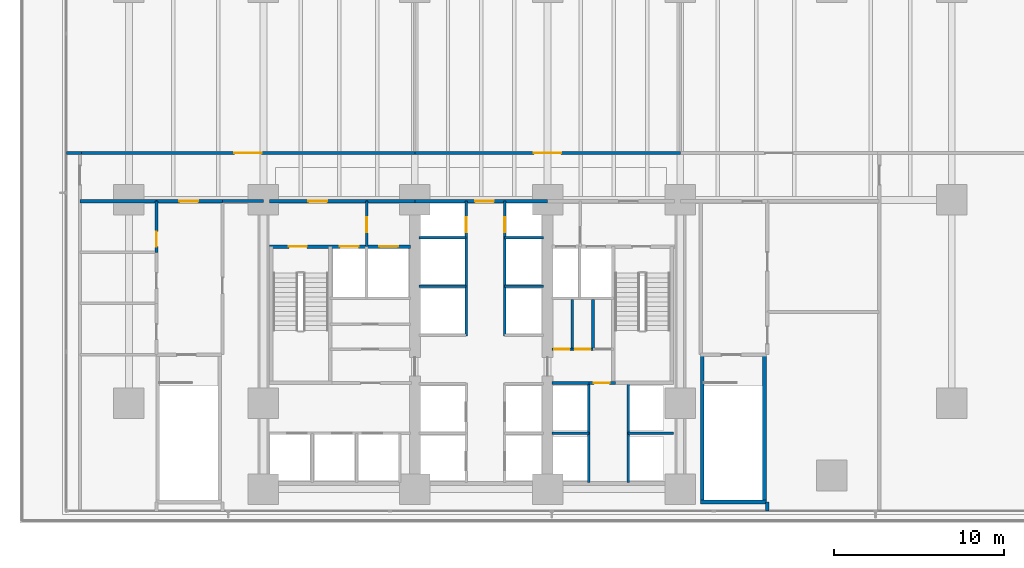
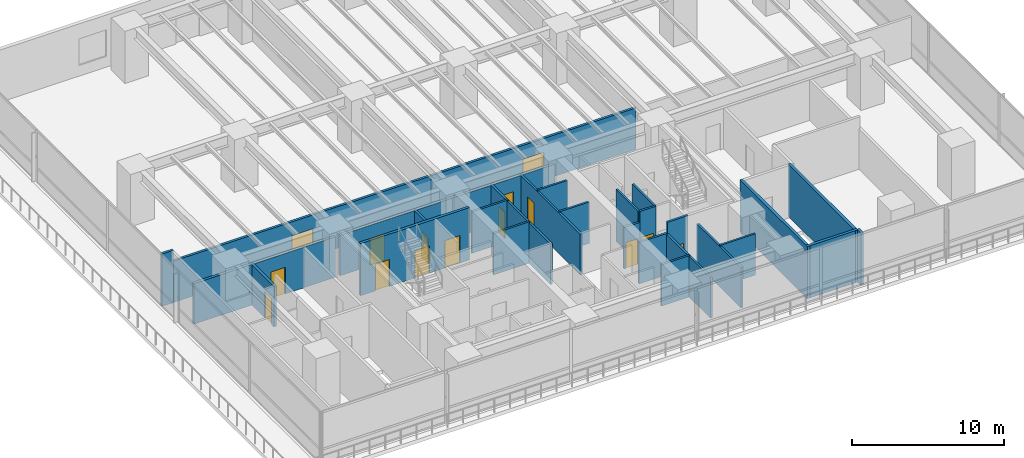
# One storey, part 8 of 21: 32 walls, 15 doors, 15 openings.
"""IFC4 building model written with IfcOpenShell, lengths in metres."""

from ifc_helpers import new_model, si_unit, direction, frame, frame_2d, origin, place, context, subcontext, project, spatial, rectangle, extrude, material, layer, layer_set, type_object, element, fill, save


model = new_model("IFC4")

# Units and contexts
model_context = context("Model", 3, precision=1e-05, world=origin(), true_north=direction((0.0, 1.0)))
body_context = subcontext(model_context, "Body", "Model", "MODEL_VIEW")
ifc_project = project(units=[si_unit("LENGTHUNIT", "METRE"), si_unit("AREAUNIT", "SQUARE_METRE"), si_unit("VOLUMEUNIT", "CUBIC_METRE"), si_unit("PLANEANGLEUNIT", "RADIAN"), si_unit("MASSUNIT", "GRAM", prefix="KILO")], contexts=[model_context])

# Site, building, storey
site_placement = place(None, origin())
site = spatial("IfcSite", under=ifc_project, at=site_placement, CompositionType="ELEMENT")
building_placement = place(site_placement, origin())
building = spatial("IfcBuilding", under=site, at=building_placement, Name="Qalmaran Belvedere Hotel", CompositionType="ELEMENT")
storey_placement = place(building_placement, frame((0.0, 0.0, 23.800048828125)))
storey = spatial("IfcBuildingStorey", under=building, at=storey_placement, Name="L05", CompositionType="ELEMENT", Elevation=23.800048828125)

# Walls
ifc_material_1 = material(Name="Gypsum Stud Partition")
ifc_layer_1 = layer(ifc_material_1, 0.14990234375, Name="Gypsum Stud Partition")
ifc_layer_set_1 = layer_set([ifc_layer_1], Name="Gypsum Stud Partition")
wall_type_1 = type_object("IfcWallType", Name="WL-INT-150-EI120", PredefinedType="PARTITIONING", material=ifc_layer_set_1)
wall_1_placement = place(storey_placement, frame((37.25, 6.780029296875, 0.0), z_axis=(0.0, 0.0, 1.0), x_axis=(1.0, 0.0, 0.0)))
element("IfcWall", 1, at=wall_1_placement, inside=storey, type_object=wall_type_1, Name="L05 Partition WL-PHMW-L05", PredefinedType="PARTITIONING", context=body_context, shape_type="SweptSolid", body=[
    extrude(rectangle(XDim=2.169921875, YDim=0.14990234375, at=frame_2d((1.0849609375, 0.0))), origin(), (0.0, 0.0, 1.0), 3.329833984375),
])
wall_2_placement = place(storey_placement, frame((41.739990234375, 6.780029296875, 0.0), z_axis=(0.0, 0.0, 1.0), x_axis=(1.0, 0.0, 0.0)))
element("IfcWall", 2, at=wall_2_placement, inside=storey, type_object=wall_type_1, Name="L05 Partition WL-PHME-L05", PredefinedType="PARTITIONING", context=body_context, shape_type="SweptSolid", body=[
    extrude(rectangle(XDim=2.659912109375, YDim=0.14990234375, at=frame_2d((1.330078125, 0.0))), origin(), (0.0, 0.0, 1.0), 3.329833984375),
])
wall_3_placement = place(storey_placement, frame((29.449951171875, 15.419921875, 0.0), z_axis=(0.0, 0.0, 1.0), x_axis=(1.0, 0.0, 0.0)))
element("IfcWall", 3, at=wall_3_placement, inside=storey, type_object=wall_type_1, Name="L05 Partition WL-PMW-L05-154", PredefinedType="PARTITIONING", context=body_context, shape_type="SweptSolid", body=[
    extrude(rectangle(XDim=2.77001953125, YDim=0.14990234375, at=frame_2d((1.385009765625, 0.0))), origin(), (0.0, 0.0, 1.0), 3.329833984375),
])
wall_4_placement = place(storey_placement, frame((34.47998046875, 15.419921875, 0.0), z_axis=(0.0, 0.0, 1.0), x_axis=(1.0, 0.0, 0.0)))
element("IfcWall", 4, at=wall_4_placement, inside=storey, type_object=wall_type_1, Name="L05 Partition WL-PME-L05-154", PredefinedType="PARTITIONING", context=body_context, shape_type="SweptSolid", body=[
    extrude(rectangle(XDim=2.27001953125, YDim=0.14990234375, at=frame_2d((1.135009765625, 0.0))), origin(), (0.0, 0.0, 1.0), 3.329833984375),
])
wall_5_placement = place(storey_placement, frame((29.449951171875, 18.280029296875, 0.0), z_axis=(0.0, 0.0, 1.0), x_axis=(1.0, 0.0, 0.0)))
element("IfcWall", 5, at=wall_5_placement, inside=storey, type_object=wall_type_1, Name="L05 Partition WL-PMW-L05-182", PredefinedType="PARTITIONING", context=body_context, shape_type="SweptSolid", body=[
    extrude(rectangle(XDim=2.77001953125, YDim=0.14990234375, at=frame_2d((1.385009765625, 0.0))), origin(), (0.0, 0.0, 1.0), 3.329833984375),
])
wall_6_placement = place(storey_placement, frame((34.47998046875, 18.280029296875, 0.0), z_axis=(0.0, 0.0, 1.0), x_axis=(1.0, 0.0, 0.0)))
element("IfcWall", 6, at=wall_6_placement, inside=storey, type_object=wall_type_1, Name="L05 Partition WL-PME-L05-182", PredefinedType="PARTITIONING", context=body_context, shape_type="SweptSolid", body=[
    extrude(rectangle(XDim=2.27001953125, YDim=0.14990234375, at=frame_2d((1.135009765625, 0.0))), origin(), (0.0, 0.0, 1.0), 3.329833984375),
])
ifc_layer_2 = layer(ifc_material_1, 0.14990234375, Name="Gypsum Stud Partition")
ifc_layer_set_2 = layer_set([ifc_layer_2], Name="Gypsum Stud Partition")
wall_type_2 = type_object("IfcWallType", Name="WL-INT-150-EI60", PredefinedType="PARTITIONING", material=ifc_layer_set_2)
for number, where, z_axis, x_axis, name in (
    (7, (38.44140625, 11.719970703125, 0.0), (0.0, 0.0, 1.0), (0.0, 1.0, 0.0), "L05 Partition WL-L05-KEV1"),
    (8, (39.668701171875, 11.719970703125, 0.0), (0.0, 0.0, 1.0), (0.0, 1.0, 0.0), "L05 Partition WL-L05-KEV2"),
):
    element("IfcWall", number, at=place(storey_placement, frame(where, z_axis=z_axis, x_axis=x_axis)), inside=storey, type_object=wall_type_2, Name=name, PredefinedType="PARTITIONING", context=body_context, shape_type="SweptSolid", body=[
        extrude(rectangle(XDim=2.929931640625, YDim=0.14990234375, at=frame_2d((1.46484375, 0.0))), origin(), (0.0, 0.0, 1.0), 4.199951171875),
    ])

# Wall, opening, door
ifc_layer_3 = layer(ifc_material_1, 0.159912109375, Name="Gypsum Stud Partition")
ifc_layer_set_3 = layer_set([ifc_layer_3], Name="Gypsum Stud Partition")
wall_type_3 = type_object("IfcWallType", Name="WL-INT-160-EI120", PredefinedType="PARTITIONING", material=ifc_layer_set_3)
wall_7_placement = place(storey_placement, frame((26.3798828125, 17.760009765625, 0.0), z_axis=(0.0, 0.0, 1.0), x_axis=(0.0, 1.0, 0.0)))
wall_7 = element("IfcWall", 9, at=wall_7_placement, inside=storey, type_object=wall_type_3, Name="L05 Partition WL-FFSV1-L05", PredefinedType="PARTITIONING", context=body_context, shape_type="SweptSolid", body=[
    extrude(rectangle(XDim=2.659912109375, YDim=0.159912109375, at=frame_2d((1.330078125, 0.0))), origin(), (0.0, 0.0, 1.0), 3.263916015625),
])
opening_1_placement = place(wall_7_placement, frame((0.85009765625, 0.0, 0.0)))
opening_1 = element("IfcOpeningElement", 10, at=opening_1_placement, cuts=wall_7, Name="Opening FD60B", PredefinedType="OPENING", context=body_context, shape_type="SweptSolid", body=[
    extrude(rectangle(XDim=0.8798828125, YDim=2.080078125, at=frame_2d((0.43994140625, 1.0400390625))), frame((0.0, 0.08984375, 0.0), z_axis=(0.0, -1.0, 0.0), x_axis=(1.0, 0.0, 0.0)), (0.0, 0.0, 1.0), 0.179931640625),
])
ifc_material_2 = material(Name="Steel S355JR", Category="steel")
door_type_1 = type_object("IfcDoorType", Name="DR-FD60B-880X2080", OperationType="NOTDEFINED", PredefinedType="DOOR", material=ifc_material_2)
door_1_placement = place(opening_1_placement, origin())
door_1 = element("IfcDoor", 11, at=door_1_placement, inside=storey, type_object=door_type_1, Name="L05 Service Lobby West Door", OperationType="SINGLE_SWING_LEFT", OverallHeight=2.080078125, OverallWidth=0.8798828125, PredefinedType="DOOR", context=body_context, shape_type="SweptSolid", body=[
    extrude(rectangle(XDim=0.8798828125, YDim=2.080078125, at=frame_2d((0.43994140625, 1.0400390625))), frame((0.0, 0.02490234375, 0.0), z_axis=(0.0, -1.0, 0.0), x_axis=(1.0, 0.0, 0.0)), (0.0, 0.0, 1.0), 0.050048828125),
])
fill(opening_1, door_1)

# Walls
for number, where, z_axis, x_axis, name in (
    (12, (39.419921875, 3.89990234375, 0.0), (0.0, 0.0, 1.0), (0.0, 1.0, 0.0), "L05 Partition WL-PHW-L05"),
    (13, (41.739990234375, 3.89990234375, 0.0), (0.0, 0.0, 1.0), (0.0, 1.0, 0.0), "L05 Partition WL-PHE-L05"),
):
    element("IfcWall", number, at=place(storey_placement, frame(where, z_axis=z_axis, x_axis=x_axis)), inside=storey, type_object=wall_type_3, Name=name, PredefinedType="PARTITIONING", context=body_context, shape_type="SweptSolid", body=[
        extrude(rectangle(XDim=5.840087890625, YDim=0.159912109375, at=frame_2d((2.919921875, 0.0))), origin(), (0.0, 0.0, 1.0), 3.263916015625),
    ])
wall_8_placement = place(storey_placement, frame((37.25, 9.739990234375, 0.0), z_axis=(0.0, 0.0, 1.0), x_axis=(1.0, 0.0, 0.0)))
element("IfcWall", 14, at=wall_8_placement, inside=storey, type_object=wall_type_3, Name="L05 Partition WL-PHNW-L05", PredefinedType="PARTITIONING", context=body_context, shape_type="SweptSolid", body=[
    extrude(rectangle(XDim=2.169921875, YDim=0.159912109375, at=frame_2d((1.0849609375, 0.0))), origin(), (0.0, 0.0, 1.0), 3.329833984375),
])

# Wall, opening, door
wall_9_placement = place(storey_placement, frame((39.419921875, 9.739990234375, 0.0), z_axis=(0.0, 0.0, 1.0), x_axis=(1.0, 0.0, 0.0)))
wall_9 = element("IfcWall", 15, at=wall_9_placement, inside=storey, type_object=wall_type_3, Name="L05 Partition WL-PHNL-L05", PredefinedType="PARTITIONING", context=body_context, shape_type="SweptSolid", body=[
    extrude(rectangle(XDim=1.56005859375, YDim=0.159912109375, at=frame_2d((0.780029296875, 0.0))), origin(), (0.0, 0.0, 1.0), 4.199951171875),
])
opening_2_placement = place(wall_9_placement, frame((0.300048828125, 0.0, 0.0)))
opening_2 = element("IfcOpeningElement", 16, at=opening_2_placement, cuts=wall_9, Name="Opening FD60S1", PredefinedType="OPENING", context=body_context, shape_type="SweptSolid", body=[
    extrude(rectangle(XDim=0.919921875, YDim=2.080078125, at=frame_2d((0.4599609375, 1.0400390625))), frame((0.0, 0.08984375, 0.0), z_axis=(0.0, -1.0, 0.0), x_axis=(1.0, 0.0, 0.0)), (0.0, 0.0, 1.0), 0.179931640625),
])
ifc_material_3 = material(Name="Engineered Oak Veneer")
door_type_2 = type_object("IfcDoorType", Name="DR-FD60S-920X2080", OperationType="NOTDEFINED", PredefinedType="DOOR", material=ifc_material_3)
door_2_placement = place(opening_2_placement, origin())
door_2 = element("IfcDoor", 17, at=door_2_placement, inside=storey, type_object=door_type_2, Name="L05 High-Rise Lift Lobby Passage Door", OperationType="SINGLE_SWING_RIGHT", OverallHeight=2.080078125, OverallWidth=0.919921875, PredefinedType="DOOR", context=body_context, shape_type="SweptSolid", body=[
    extrude(rectangle(XDim=0.919921875, YDim=2.080078125, at=frame_2d((0.4599609375, 1.0400390625))), frame((0.0, 0.02490234375, 0.0), z_axis=(0.0, -1.0, 0.0), x_axis=(1.0, 0.0, 0.0)), (0.0, 0.0, 1.0), 0.050048828125),
])
fill(opening_2, door_2)

wall_10_placement = place(storey_placement, frame((32.219970703125, 12.5, 0.0), z_axis=(0.0, 0.0, 1.0), x_axis=(0.0, 1.0, 0.0)))
wall_10 = element("IfcWall", 18, at=wall_10_placement, inside=storey, type_object=wall_type_3, Name="L05 Partition WL-CLBWN-L05", PredefinedType="PARTITIONING", context=body_context, shape_type="SweptSolid", body=[
    extrude(rectangle(XDim=7.919921875, YDim=0.159912109375, at=frame_2d((3.9599609375, 0.0))), origin(), (0.0, 0.0, 1.0), 3.263916015625),
])
opening_3_placement = place(wall_10_placement, frame((6.10009765625, 0.0, 0.0)))
opening_3 = element("IfcOpeningElement", 19, at=opening_3_placement, cuts=wall_10, Name="Opening FD60B", PredefinedType="OPENING", context=body_context, shape_type="SweptSolid", body=[
    extrude(rectangle(XDim=0.8798828125, YDim=2.080078125, at=frame_2d((0.43994140625, 1.0400390625))), frame((0.0, 0.08984375, 0.0), z_axis=(0.0, -1.0, 0.0), x_axis=(1.0, 0.0, 0.0)), (0.0, 0.0, 1.0), 0.179931640625),
])
door_3_placement = place(opening_3_placement, origin())
door_3 = element("IfcDoor", 20, at=door_3_placement, inside=storey, type_object=door_type_1, Name="L05 West Riser Access Door", OperationType="SINGLE_SWING_LEFT", OverallHeight=2.080078125, OverallWidth=0.8798828125, PredefinedType="DOOR", context=body_context, shape_type="SweptSolid", body=[
    extrude(rectangle(XDim=0.8798828125, YDim=2.080078125, at=frame_2d((0.43994140625, 1.0400390625))), frame((0.0, 0.02490234375, 0.0), z_axis=(0.0, -1.0, 0.0), x_axis=(1.0, 0.0, 0.0)), (0.0, 0.0, 1.0), 0.050048828125),
])
fill(opening_3, door_3)

wall_11_placement = place(storey_placement, frame((34.47998046875, 12.5, 0.0), z_axis=(0.0, 0.0, 1.0), x_axis=(0.0, 1.0, 0.0)))
wall_11 = element("IfcWall", 21, at=wall_11_placement, inside=storey, type_object=wall_type_3, Name="L05 Partition WL-CLBEN-L05", PredefinedType="PARTITIONING", context=body_context, shape_type="SweptSolid", body=[
    extrude(rectangle(XDim=7.919921875, YDim=0.159912109375, at=frame_2d((3.9599609375, 0.0))), origin(), (0.0, 0.0, 1.0), 3.263916015625),
])
opening_4_placement = place(wall_11_placement, frame((6.97998046875, 0.0, 0.0), z_axis=(0.0, 0.0, 1.0), x_axis=(-1.0, 0.0, 0.0)))
opening_4 = element("IfcOpeningElement", 22, at=opening_4_placement, cuts=wall_11, Name="Opening FD60B", PredefinedType="OPENING", context=body_context, shape_type="SweptSolid", body=[
    extrude(rectangle(XDim=0.8798828125, YDim=2.080078125, at=frame_2d((0.43994140625, 1.0400390625))), frame((0.0, 0.08984375, 0.0), z_axis=(0.0, -1.0, 0.0), x_axis=(1.0, 0.0, 0.0)), (0.0, 0.0, 1.0), 0.179931640625),
])
door_4_placement = place(opening_4_placement, origin())
door_4 = element("IfcDoor", 23, at=door_4_placement, inside=storey, type_object=door_type_1, Name="L05 East Riser Access Door", OperationType="SINGLE_SWING_RIGHT", OverallHeight=2.080078125, OverallWidth=0.8798828125, PredefinedType="DOOR", context=body_context, shape_type="SweptSolid", body=[
    extrude(rectangle(XDim=0.8798828125, YDim=2.080078125, at=frame_2d((0.43994140625, 1.0400390625))), frame((0.0, 0.02490234375, 0.0), z_axis=(0.0, -1.0, 0.0), x_axis=(1.0, 0.0, 0.0)), (0.0, 0.0, 1.0), 0.050048828125),
])
fill(opening_4, door_4)

ifc_layer_4 = layer(ifc_material_1, 0.159912109375, Name="Gypsum Stud Partition")
ifc_layer_set_4 = layer_set([ifc_layer_4], Name="Gypsum Stud Partition")
wall_type_4 = type_object("IfcWallType", Name="WL-INT-160-EI60", PredefinedType="PARTITIONING", material=ifc_layer_set_4)
wall_12_placement = place(storey_placement, frame((37.25, 11.719970703125, 0.0), z_axis=(0.0, 0.0, 1.0), x_axis=(1.0, 0.0, 0.0)))
wall_12 = element("IfcWall", 24, at=wall_12_placement, inside=storey, type_object=wall_type_4, Name="L05 Partition WL-L05-KEE1", PredefinedType="PARTITIONING", context=body_context, shape_type="SweptSolid", body=[
    extrude(rectangle(XDim=1.19140625, YDim=0.159912109375, at=frame_2d((0.595703125, 0.0))), origin(), (0.0, 0.0, 1.0), 3.329833984375),
])
opening_5_placement = place(wall_12_placement, frame((0.155517578125, 0.0, 0.0)))
opening_5 = element("IfcOpeningElement", 25, at=opening_5_placement, cuts=wall_12, Name="Opening FD60B", PredefinedType="OPENING", context=body_context, shape_type="SweptSolid", body=[
    extrude(rectangle(XDim=0.8798828125, YDim=2.080078125, at=frame_2d((0.43994140625, 1.0400390625))), frame((0.0, 0.08984375, 0.0), z_axis=(0.0, -1.0, 0.0), x_axis=(1.0, 0.0, 0.0)), (0.0, 0.0, 1.0), 0.179931640625),
])
door_5_placement = place(opening_5_placement, origin())
door_5 = element("IfcDoor", 26, at=door_5_placement, inside=storey, type_object=door_type_1, Name="L05 Hotel Linen Closet Door", OperationType="SINGLE_SWING_RIGHT", OverallHeight=2.080078125, OverallWidth=0.8798828125, PredefinedType="DOOR", context=body_context, shape_type="SweptSolid", body=[
    extrude(rectangle(XDim=0.8798828125, YDim=2.080078125, at=frame_2d((0.43994140625, 1.0400390625))), frame((0.0, 0.02490234375, 0.0), z_axis=(0.0, -1.0, 0.0), x_axis=(1.0, 0.0, 0.0)), (0.0, 0.0, 1.0), 0.050048828125),
])
fill(opening_5, door_5)

wall_13_placement = place(storey_placement, frame((38.44140625, 11.719970703125, 0.0), z_axis=(0.0, 0.0, 1.0), x_axis=(1.0, 0.0, 0.0)))
wall_13 = element("IfcWall", 27, at=wall_13_placement, inside=storey, type_object=wall_type_4, Name="L05 Partition WL-L05-KEE2", PredefinedType="PARTITIONING", context=body_context, shape_type="SweptSolid", body=[
    extrude(rectangle(XDim=1.227294921875, YDim=0.159912109375, at=frame_2d((0.61376953125, 0.0))), origin(), (0.0, 0.0, 1.0), 4.199951171875),
])
opening_6_placement = place(wall_13_placement, frame((0.173583984375, 0.0, 0.0)))
opening_6 = element("IfcOpeningElement", 28, at=opening_6_placement, cuts=wall_13, Name="Opening FD60B", PredefinedType="OPENING", context=body_context, shape_type="SweptSolid", body=[
    extrude(rectangle(XDim=0.8798828125, YDim=2.080078125, at=frame_2d((0.43994140625, 1.0400390625))), frame((0.0, 0.08984375, 0.0), z_axis=(0.0, -1.0, 0.0), x_axis=(1.0, 0.0, 0.0)), (0.0, 0.0, 1.0), 0.179931640625),
])
door_6_placement = place(opening_6_placement, origin())
door_6 = element("IfcDoor", 29, at=door_6_placement, inside=storey, type_object=door_type_1, Name="L05 Guest Ice and Beverage Pantry Door", OperationType="SINGLE_SWING_LEFT", OverallHeight=2.080078125, OverallWidth=0.8798828125, PredefinedType="DOOR", context=body_context, shape_type="SweptSolid", body=[
    extrude(rectangle(XDim=0.8798828125, YDim=2.080078125, at=frame_2d((0.43994140625, 1.0400390625))), frame((0.0, 0.02490234375, 0.0), z_axis=(0.0, -1.0, 0.0), x_axis=(1.0, 0.0, 0.0)), (0.0, 0.0, 1.0), 0.050048828125),
])
fill(opening_6, door_6)

# Wall
ifc_layer_5 = layer(ifc_material_1, 0.179931640625, Name="Gypsum Stud Partition")
ifc_layer_set_5 = layer_set([ifc_layer_5], Name="Gypsum Stud Partition")
wall_type_5 = type_object("IfcWallType", Name="WL-INT-180-EI60", PredefinedType="PARTITIONING", material=ifc_layer_set_5)
wall_14_placement = place(storey_placement, frame((17.89990234375, 20.419921875, 0.0), z_axis=(0.0, 0.0, 1.0), x_axis=(1.0, 0.0, 0.0)))
element("IfcWall", 30, at=wall_14_placement, inside=storey, type_object=wall_type_5, Name="L05 Partition WL-L05-SFGN", PredefinedType="PARTITIONING", context=body_context, shape_type="SweptSolid", body=[
    extrude(rectangle(XDim=2.400146484375, YDim=0.179931640625, at=frame_2d((1.2001953125, 0.0))), origin(), (0.0, 0.0, 1.0), 3.263916015625),
])

# Wall, opening, door
wall_15_placement = place(storey_placement, frame((9.60009765625, 23.25, 0.0), z_axis=(0.0, 0.0, 1.0), x_axis=(1.0, 0.0, 0.0)))
wall_15 = element("IfcWall", 31, at=wall_15_placement, inside=storey, type_object=wall_type_5, Name="L05 Partition WL-L05-GND1", PredefinedType="PARTITIONING", context=body_context, shape_type="SweptSolid", body=[
    extrude(rectangle(XDim=19.599853515625, YDim=0.179931640625, at=frame_2d((9.7998046875, 0.0))), origin(), (0.0, 0.0, 1.0), 3.329833984375),
])
opening_7_placement = place(wall_15_placement, frame((9.0, 0.0, 0.0)))
opening_7 = element("IfcOpeningElement", 32, at=opening_7_placement, cuts=wall_15, Name="Opening FD60D", PredefinedType="OPENING", context=body_context, shape_type="SweptSolid", body=[
    extrude(rectangle(XDim=1.60009765625, YDim=2.219970703125, at=frame_2d((0.800048828125, 1.10986328125))), frame((0.0, 0.10009765625, 0.0), z_axis=(0.0, -1.0, 0.0), x_axis=(1.0, 0.0, 0.0)), (0.0, 0.0, 1.0), 0.199951171875),
])
door_type_3 = type_object("IfcDoorType", Name="DR-FD60D-1600X2220", OperationType="NOTDEFINED", PredefinedType="DOOR", material=ifc_material_3)
door_7_placement = place(opening_7_placement, origin())
door_7 = element("IfcDoor", 33, at=door_7_placement, inside=storey, type_object=door_type_3, Name="L05 Signature Rooftop Restaurant Door", OperationType="DOUBLE_DOOR_SINGLE_SWING", OverallHeight=2.219970703125, OverallWidth=1.60009765625, PredefinedType="DOOR", context=body_context, shape_type="SweptSolid", body=[
    extrude(rectangle(XDim=1.60009765625, YDim=2.219970703125, at=frame_2d((0.800048828125, 1.10986328125))), frame((0.0, 0.02490234375, 0.0), z_axis=(0.0, -1.0, 0.0), x_axis=(1.0, 0.0, 0.0)), (0.0, 0.0, 1.0), 0.050048828125),
])
fill(opening_7, door_7)

# Wall
wall_16_placement = place(storey_placement, frame((8.719970703125, 23.25, 0.0), z_axis=(0.0, 0.0, 1.0), x_axis=(1.0, 0.0, 0.0)))
element("IfcWall", 34, at=wall_16_placement, inside=storey, type_object=wall_type_5, Name="L05 Partition WL-L05-GNW1", PredefinedType="PARTITIONING", context=body_context, shape_type="SweptSolid", body=[
    extrude(rectangle(XDim=0.880126953125, YDim=0.179931640625, at=frame_2d((0.43994140625, 0.0))), origin(), (0.0, 0.0, 1.0), 4.199951171875),
])

# Wall, opening, door
wall_17_placement = place(storey_placement, frame((29.199951171875, 23.25, 0.0), z_axis=(0.0, 0.0, 1.0), x_axis=(1.0, 0.0, 0.0)))
wall_17 = element("IfcWall", 35, at=wall_17_placement, inside=storey, type_object=wall_type_5, Name="L05 Partition WL-L05-GND2", PredefinedType="PARTITIONING", context=body_context, shape_type="SweptSolid", body=[
    extrude(rectangle(XDim=15.60009765625, YDim=0.179931640625, at=frame_2d((7.800048828125, 0.0))), origin(), (0.0, 0.0, 1.0), 3.329833984375),
])
opening_8_placement = place(wall_17_placement, frame((7.0, 0.0, 0.0)))
opening_8 = element("IfcOpeningElement", 36, at=opening_8_placement, cuts=wall_17, Name="Opening FD60D", PredefinedType="OPENING", context=body_context, shape_type="SweptSolid", body=[
    extrude(rectangle(XDim=1.60009765625, YDim=2.219970703125, at=frame_2d((0.800048828125, 1.10986328125))), frame((0.0, 0.10009765625, 0.0), z_axis=(0.0, -1.0, 0.0), x_axis=(1.0, 0.0, 0.0)), (0.0, 0.0, 1.0), 0.199951171875),
])
door_8_placement = place(opening_8_placement, origin())
door_8 = element("IfcDoor", 37, at=door_8_placement, inside=storey, type_object=door_type_3, Name="L05 Podium Terrace Cocktail Bar Door", OperationType="DOUBLE_DOOR_SINGLE_SWING", OverallHeight=2.219970703125, OverallWidth=1.60009765625, PredefinedType="DOOR", context=body_context, shape_type="SweptSolid", body=[
    extrude(rectangle(XDim=1.60009765625, YDim=2.219970703125, at=frame_2d((0.800048828125, 1.10986328125))), frame((0.0, 0.02490234375, 0.0), z_axis=(0.0, -1.0, 0.0), x_axis=(1.0, 0.0, 0.0)), (0.0, 0.0, 1.0), 0.050048828125),
])
fill(opening_8, door_8)

ifc_material_4 = material(Name="Concrete C30/37 Blockwork", Category="masonry")
ifc_layer_6 = layer(ifc_material_4, 0.199951171875, Name="Concrete C30/37 Blockwork")
ifc_layer_set_6 = layer_set([ifc_layer_6], Name="Concrete C30/37 Blockwork")
wall_type_6 = type_object("IfcWallType", Name="WL-INT-200-EI120", PredefinedType="PARTITIONING", material=ifc_layer_set_6)
wall_18_placement = place(storey_placement, frame((20.64990234375, 20.419921875, 0.0), z_axis=(0.0, 0.0, 1.0), x_axis=(1.0, 0.0, 0.0)))
wall_18 = element("IfcWall", 38, at=wall_18_placement, inside=storey, type_object=wall_type_6, Name="L05 Partition WL-CN1A-L05", PredefinedType="PARTITIONING", context=body_context, shape_type="SweptSolid", body=[
    extrude(rectangle(XDim=5.72998046875, YDim=0.199951171875, at=frame_2d((2.864990234375, 0.0))), origin(), (0.0, 0.0, 1.0), 3.263916015625),
])
opening_9_placement = place(wall_18_placement, frame((2.300048828125, 0.0, 0.0)))
opening_9 = element("IfcOpeningElement", 39, at=opening_9_placement, cuts=wall_18, Name="Opening FD90", PredefinedType="OPENING", context=body_context, shape_type="SweptSolid", body=[
    extrude(rectangle(XDim=1.10009765625, YDim=2.14990234375, at=frame_2d((0.550048828125, 1.074951171875))), frame((0.0, 0.10986328125, 0.0), z_axis=(0.0, -1.0, 0.0), x_axis=(1.0, 0.0, 0.0)), (0.0, 0.0, 1.0), 0.219970703125),
])
door_type_4 = type_object("IfcDoorType", Name="DR-FD90-1100X2150", OperationType="NOTDEFINED", PredefinedType="DOOR", material=ifc_material_2)
door_9_placement = place(opening_9_placement, origin())
door_9 = element("IfcDoor", 40, at=door_9_placement, inside=storey, type_object=door_type_4, Name="L05 FF1 Lobby Corridor Door", OperationType="SINGLE_SWING_LEFT", OverallHeight=2.14990234375, OverallWidth=1.10009765625, PredefinedType="DOOR", context=body_context, shape_type="SweptSolid", body=[
    extrude(rectangle(XDim=1.10009765625, YDim=2.14990234375, at=frame_2d((0.550048828125, 1.074951171875))), frame((0.0, 0.02490234375, 0.0), z_axis=(0.0, -1.0, 0.0), x_axis=(1.0, 0.0, 0.0)), (0.0, 0.0, 1.0), 0.050048828125),
])
fill(opening_9, door_9)

# Wall
wall_19_placement = place(storey_placement, frame((26.3798828125, 20.419921875, 0.0), z_axis=(0.0, 0.0, 1.0), x_axis=(1.0, 0.0, 0.0)))
element("IfcWall", 41, at=wall_19_placement, inside=storey, type_object=wall_type_6, Name="L05 Partition WL-CN1B-L05", PredefinedType="PARTITIONING", context=body_context, shape_type="SweptSolid", body=[
    extrude(rectangle(XDim=2.820068359375, YDim=0.199951171875, at=frame_2d((1.41015625, 0.0))), origin(), (0.0, 0.0, 1.0), 3.263916015625),
])

# Wall, opening, door
wall_20_placement = place(storey_placement, frame((29.199951171875, 20.419921875, 0.0), z_axis=(0.0, 0.0, 1.0), x_axis=(1.0, 0.0, 0.0)))
wall_20 = element("IfcWall", 42, at=wall_20_placement, inside=storey, type_object=wall_type_6, Name="L05 Partition WL-CN2-L05", PredefinedType="PARTITIONING", context=body_context, shape_type="SweptSolid", body=[
    extrude(rectangle(XDim=7.800048828125, YDim=0.199951171875, at=frame_2d((3.89990234375, 0.0))), origin(), (0.0, 0.0, 1.0), 3.263916015625),
])
opening_10_placement = place(wall_20_placement, frame((3.550048828125, 0.0, 0.0)))
opening_10 = element("IfcOpeningElement", 43, at=opening_10_placement, cuts=wall_20, Name="Opening FD90", PredefinedType="OPENING", context=body_context, shape_type="SweptSolid", body=[
    extrude(rectangle(XDim=1.10009765625, YDim=2.14990234375, at=frame_2d((0.550048828125, 1.074951171875))), frame((0.0, 0.10986328125, 0.0), z_axis=(0.0, -1.0, 0.0), x_axis=(1.0, 0.0, 0.0)), (0.0, 0.0, 1.0), 0.219970703125),
])
door_10_placement = place(opening_10_placement, origin())
door_10 = element("IfcDoor", 44, at=door_10_placement, inside=storey, type_object=door_type_4, Name="L05 Central Lift Lobby Door", OperationType="SINGLE_SWING_RIGHT", OverallHeight=2.14990234375, OverallWidth=1.10009765625, PredefinedType="DOOR", context=body_context, shape_type="SweptSolid", body=[
    extrude(rectangle(XDim=1.10009765625, YDim=2.14990234375, at=frame_2d((0.550048828125, 1.074951171875))), frame((0.0, 0.02490234375, 0.0), z_axis=(0.0, -1.0, 0.0), x_axis=(1.0, 0.0, 0.0)), (0.0, 0.0, 1.0), 0.050048828125),
])
fill(opening_10, door_10)

wall_21_placement = place(storey_placement, frame((14.02001953125, 17.419921875, 0.0), z_axis=(0.0, 0.0, 1.0), x_axis=(0.0, 1.0, 0.0)))
wall_21 = element("IfcWall", 45, at=wall_21_placement, inside=storey, type_object=wall_type_6, Name="L05 Partition WL-L05-STPWA", PredefinedType="PARTITIONING", context=body_context, shape_type="SweptSolid", body=[
    extrude(rectangle(XDim=3.0, YDim=0.199951171875, at=frame_2d((1.5, 0.0))), origin(), (0.0, 0.0, 1.0), 3.263916015625),
])
opening_11_placement = place(wall_21_placement, frame((0.33203125, 0.0, 0.0)))
opening_11 = element("IfcOpeningElement", 46, at=opening_11_placement, cuts=wall_21, Name="Opening FD60B", PredefinedType="OPENING", context=body_context, shape_type="SweptSolid", body=[
    extrude(rectangle(XDim=0.8798828125, YDim=2.080078125, at=frame_2d((0.43994140625, 1.0400390625))), frame((0.0, 0.10986328125, 0.0), z_axis=(0.0, -1.0, 0.0), x_axis=(1.0, 0.0, 0.0)), (0.0, 0.0, 1.0), 0.219970703125),
])
door_11_placement = place(opening_11_placement, origin())
door_11 = element("IfcDoor", 47, at=door_11_placement, inside=storey, type_object=door_type_1, Name="L05 Accessible WC Door", OperationType="SINGLE_SWING_RIGHT", OverallHeight=2.080078125, OverallWidth=0.8798828125, PredefinedType="DOOR", context=body_context, shape_type="SweptSolid", body=[
    extrude(rectangle(XDim=0.8798828125, YDim=2.080078125, at=frame_2d((0.43994140625, 1.0400390625))), frame((0.0, 0.02490234375, 0.0), z_axis=(0.0, -1.0, 0.0), x_axis=(1.0, 0.0, 0.0)), (0.0, 0.0, 1.0), 0.050048828125),
])
fill(opening_11, door_11)

# Wall
wall_22_placement = place(storey_placement, frame((9.52001953125, 20.419921875, 0.0), z_axis=(0.0, 0.0, 1.0), x_axis=(1.0, 0.0, 0.0)))
element("IfcWall", 48, at=wall_22_placement, inside=storey, type_object=wall_type_6, Name="L05 Partition WL-L05-CSW1", PredefinedType="PARTITIONING", context=body_context, shape_type="SweptSolid", body=[
    extrude(rectangle(XDim=4.5, YDim=0.199951171875, at=frame_2d((2.25, 0.0))), origin(), (0.0, 0.0, 1.0), 3.263916015625),
])

# Wall, opening, door
wall_23_placement = place(storey_placement, frame((14.02001953125, 20.419921875, 0.0), z_axis=(0.0, 0.0, 1.0), x_axis=(1.0, 0.0, 0.0)))
wall_23 = element("IfcWall", 49, at=wall_23_placement, inside=storey, type_object=wall_type_6, Name="L05 Partition WL-L05-CSW2", PredefinedType="PARTITIONING", context=body_context, shape_type="SweptSolid", body=[
    extrude(rectangle(XDim=3.8798828125, YDim=0.199951171875, at=frame_2d((1.93994140625, 0.0))), origin(), (0.0, 0.0, 1.0), 3.263916015625),
])
opening_12_placement = place(wall_23_placement, frame((2.4501953125, 0.0, 0.0), z_axis=(0.0, 0.0, 1.0), x_axis=(-1.0, 0.0, 0.0)))
opening_12 = element("IfcOpeningElement", 50, at=opening_12_placement, cuts=wall_23, Name="Opening FD90", PredefinedType="OPENING", context=body_context, shape_type="SweptSolid", body=[
    extrude(rectangle(XDim=1.10009765625, YDim=2.14990234375, at=frame_2d((0.550048828125, 1.074951171875))), frame((0.0, 0.10986328125, 0.0), z_axis=(0.0, -1.0, 0.0), x_axis=(1.0, 0.0, 0.0)), (0.0, 0.0, 1.0), 0.219970703125),
])
door_12_placement = place(opening_12_placement, origin())
door_12 = element("IfcDoor", 51, at=door_12_placement, inside=storey, type_object=door_type_4, Name="L05 West Stair Corridor Door", OperationType="SINGLE_SWING_RIGHT", OverallHeight=2.14990234375, OverallWidth=1.10009765625, PredefinedType="DOOR", context=body_context, shape_type="SweptSolid", body=[
    extrude(rectangle(XDim=1.10009765625, YDim=2.14990234375, at=frame_2d((0.550048828125, 1.074951171875))), frame((0.0, 0.02490234375, 0.0), z_axis=(0.0, -1.0, 0.0), x_axis=(1.0, 0.0, 0.0)), (0.0, 0.0, 1.0), 0.050048828125),
])
fill(opening_12, door_12)

# Wall
wall_24_placement = place(storey_placement, frame((49.919921875, 2.219970703125, 0.0), z_axis=(0.0, 0.0, 1.0), x_axis=(0.0, 1.0, 0.0)))
element("IfcWall", 52, at=wall_24_placement, inside=storey, type_object=wall_type_6, Name="L05 Partition WL-L05-STPE2S", PredefinedType="PARTITIONING", context=body_context, shape_type="SweptSolid", body=[
    extrude(rectangle(XDim=0.530029296875, YDim=0.199951171875, at=frame_2d((0.26513671875, 0.0))), origin(), (0.0, 0.0, 1.0), 4.199951171875),
])

# Wall, openings, doors
ifc_material_5 = material(Name="Concrete C50/60", Category="concrete")
ifc_layer_7 = layer(ifc_material_5, 0.2099609375, Name="Concrete C50/60")
ifc_layer_set_7 = layer_set([ifc_layer_7], Name="Concrete C50/60")
wall_type_7 = type_object("IfcWallType", Name="WL-STAIR-210-C50", PredefinedType="SHEAR", material=ifc_layer_set_7)
wall_25_placement = place(storey_placement, frame((20.64990234375, 17.7548828125, 0.0), z_axis=(0.0, 0.0, 1.0), x_axis=(1.0, 0.0, 0.0)))
wall_25 = element("IfcWall", 53, at=wall_25_placement, inside=storey, type_object=wall_type_7, Name="L05 West Lobby and Stair ST-1 North Bearing Wall", PredefinedType="SHEAR", context=body_context, shape_type="SweptSolid", body=[
    extrude(rectangle(XDim=8.300048828125, YDim=0.2099609375, at=frame_2d((4.14990234375, 0.0))), origin(), (0.0, 0.0, 1.0), 4.199951171875),
])
opening_13_placement = place(wall_25_placement, frame((2.199951171875, 0.0, 0.0), z_axis=(0.0, 0.0, 1.0), x_axis=(-1.0, 0.0, 0.0)))
opening_13 = element("IfcOpeningElement", 54, at=opening_13_placement, cuts=wall_25, Name="Opening FD90S2", PredefinedType="OPENING", context=body_context, shape_type="SweptSolid", body=[
    extrude(rectangle(XDim=1.050048828125, YDim=2.14990234375, at=frame_2d((0.52490234375, 1.074951171875))), frame((0.0, 0.114990234375, 0.0), z_axis=(0.0, -1.0, 0.0), x_axis=(1.0, 0.0, 0.0)), (0.0, 0.0, 1.0), 0.22998046875),
])
opening_14_placement = place(wall_25_placement, frame((4.14990234375, 0.0, 0.0)))
opening_14 = element("IfcOpeningElement", 55, at=opening_14_placement, cuts=wall_25, Name="Opening LD-FF", PredefinedType="OPENING", context=body_context, shape_type="SweptSolid", body=[
    extrude(rectangle(XDim=1.10009765625, YDim=2.179931640625, at=frame_2d((0.550048828125, 1.08984375))), frame((0.0, 0.114990234375, 0.0), z_axis=(0.0, -1.0, 0.0), x_axis=(1.0, 0.0, 0.0)), (0.0, 0.0, 1.0), 0.22998046875),
])
opening_15_placement = place(wall_25_placement, frame((6.449951171875, 0.0, 0.0)))
opening_15 = element("IfcOpeningElement", 56, at=opening_15_placement, cuts=wall_25, Name="Opening LD-SV", PredefinedType="OPENING", context=body_context, shape_type="SweptSolid", body=[
    extrude(rectangle(XDim=1.1201171875, YDim=2.199951171875, at=frame_2d((0.56005859375, 1.10009765625))), frame((0.0, 0.114990234375, 0.0), z_axis=(0.0, -1.0, 0.0), x_axis=(1.0, 0.0, 0.0)), (0.0, 0.0, 1.0), 0.22998046875),
])
door_type_5 = type_object("IfcDoorType", Name="DR-FD90S-1050X2150", OperationType="NOTDEFINED", PredefinedType="DOOR", material=ifc_material_2)
door_13_placement = place(opening_13_placement, origin())
door_13 = element("IfcDoor", 57, at=door_13_placement, inside=storey, type_object=door_type_5, Name="L05 Stair ST-1 Door", OperationType="SINGLE_SWING_LEFT", OverallHeight=2.14990234375, OverallWidth=1.050048828125, PredefinedType="DOOR", context=body_context, shape_type="SweptSolid", body=[
    extrude(rectangle(XDim=1.050048828125, YDim=2.14990234375, at=frame_2d((0.52490234375, 1.074951171875))), frame((0.0, 0.02490234375, 0.0), z_axis=(0.0, -1.0, 0.0), x_axis=(1.0, 0.0, 0.0)), (0.0, 0.0, 1.0), 0.050048828125),
])
fill(opening_13, door_13)
ifc_material_6 = material(Name="Stainless Steel 1.4401", Category="steel")
door_type_6 = type_object("IfcDoorType", Name="DR-LIFT-FF-1100X2180", OperationType="DOUBLE_DOOR_SLIDING", PredefinedType="DOOR", material=ifc_material_6)
door_14_placement = place(opening_14_placement, origin())
door_14 = element("IfcDoor", 58, at=door_14_placement, inside=storey, type_object=door_type_6, Name="L05 FF1 Lift Landing Door", OperationType="DOUBLE_DOOR_SLIDING", OverallHeight=2.179931640625, OverallWidth=1.10009765625, PredefinedType="DOOR", context=body_context, shape_type="SweptSolid", body=[
    extrude(rectangle(XDim=1.10009765625, YDim=2.179931640625, at=frame_2d((0.550048828125, 1.08984375))), frame((0.0, 0.02490234375, 0.0), z_axis=(0.0, -1.0, 0.0), x_axis=(1.0, 0.0, 0.0)), (0.0, 0.0, 1.0), 0.050048828125),
])
fill(opening_14, door_14)
door_type_7 = type_object("IfcDoorType", Name="DR-LIFT-SV-1120X2200", OperationType="DOUBLE_DOOR_SLIDING", PredefinedType="DOOR", material=ifc_material_6)
door_15_placement = place(opening_15_placement, origin())
door_15 = element("IfcDoor", 59, at=door_15_placement, inside=storey, type_object=door_type_7, Name="L05 SV1 Lift Landing Door", OperationType="DOUBLE_DOOR_SLIDING", OverallHeight=2.199951171875, OverallWidth=1.1201171875, PredefinedType="DOOR", context=body_context, shape_type="SweptSolid", body=[
    extrude(rectangle(XDim=1.1201171875, YDim=2.199951171875, at=frame_2d((0.56005859375, 1.10009765625))), frame((0.0, 0.02490234375, 0.0), z_axis=(0.0, -1.0, 0.0), x_axis=(1.0, 0.0, 0.0)), (0.0, 0.0, 1.0), 0.050048828125),
])
fill(opening_15, door_15)

# Walls
for number, where, z_axis, x_axis, name in (
    (60, (46.094970703125, 2.639892578125, 0.0), (0.0, 0.0, 1.0), (0.0, 1.0, 0.0), "L05 Podium Stair STP2 West Bearing Wall"),
    (61, (49.7451171875, 2.639892578125, 0.0), (0.0, 0.0, 1.0), (0.0, 1.0, 0.0), "L05 Podium Stair STP2 East Bearing Wall"),
):
    element("IfcWall", number, at=place(storey_placement, frame(where, z_axis=z_axis, x_axis=x_axis)), inside=storey, type_object=wall_type_7, Name=name, PredefinedType="SHEAR", context=body_context, shape_type="SweptSolid", body=[
        extrude(rectangle(XDim=8.8701171875, YDim=0.2099609375, at=frame_2d((4.43505859375, 0.0))), origin(), (0.0, 0.0, 1.0), 4.199951171875),
    ])
wall_26_placement = place(storey_placement, frame((45.989990234375, 2.7451171875, 0.0), z_axis=(0.0, 0.0, 1.0), x_axis=(1.0, 0.0, 0.0)))
element("IfcWall", 62, at=wall_26_placement, inside=storey, type_object=wall_type_7, Name="L05 Podium Stair STP2 South Bearing Wall", PredefinedType="SHEAR", context=body_context, shape_type="SweptSolid", body=[
    extrude(rectangle(XDim=3.860107421875, YDim=0.2099609375, at=frame_2d((1.93017578125, 0.0))), origin(), (0.0, 0.0, 1.0), 4.199951171875),
])

save(model, "model.ifc")
